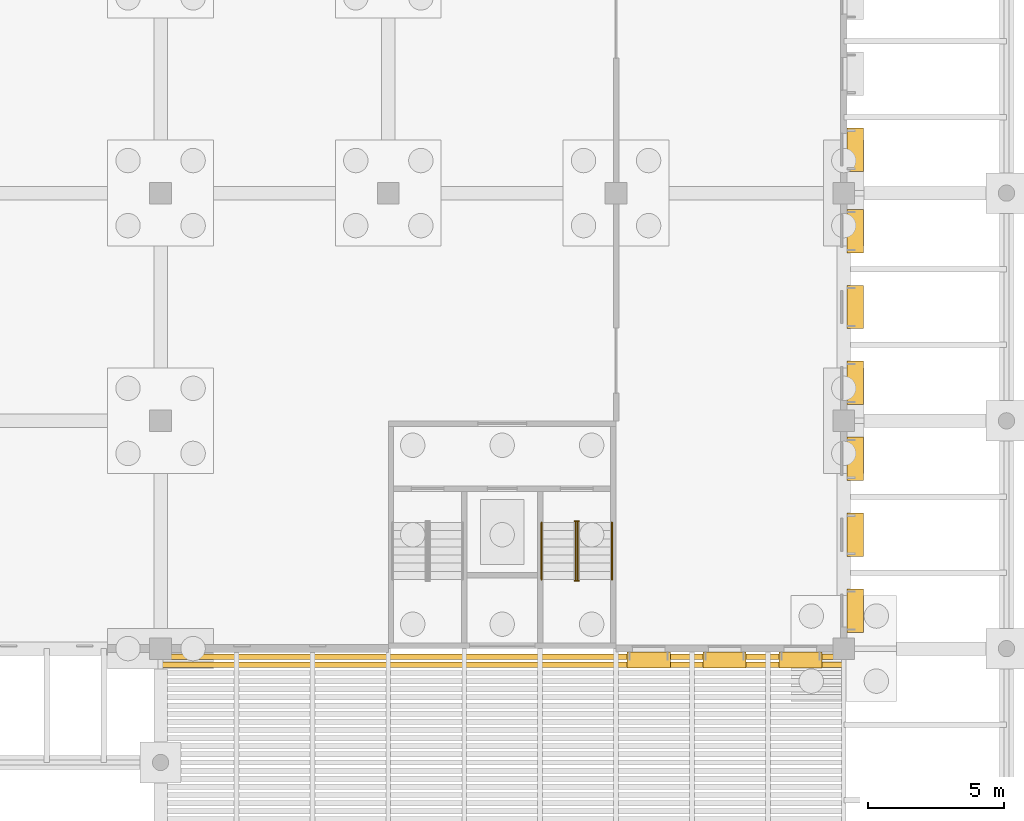
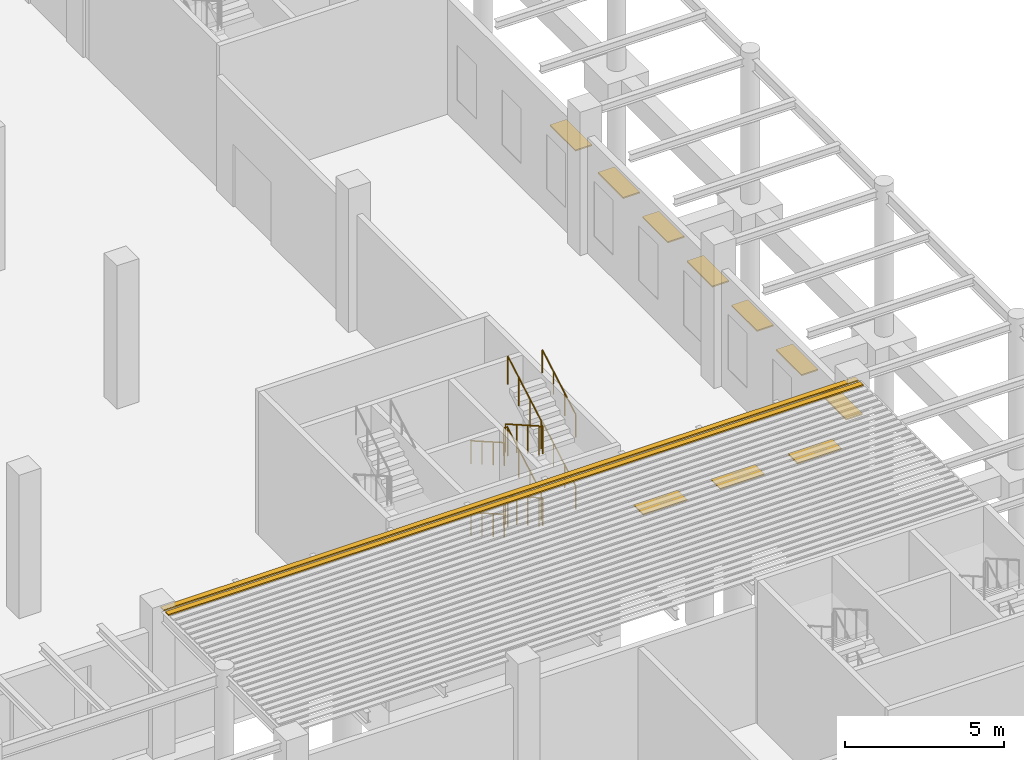
# One storey, part 78 of 82: 12 railings, 12 shading devices.
"""IFC4 building model written with IfcOpenShell, lengths in metres."""

from ifc_helpers import new_model, si_unit, direction, frame, origin, origin_2d, place, context, subcontext, project, spatial, rectangle, circle, extrude, material, material_profile, profile_set, type_object, element, save


model = new_model("IFC4")

# Units and contexts
model_context = context("Model", 3, precision=1e-05, world=origin(), true_north=direction((0.0, 1.0)))
body_context = subcontext(model_context, "Body", "Model", "MODEL_VIEW")
ifc_project = project(units=[si_unit("LENGTHUNIT", "METRE"), si_unit("AREAUNIT", "SQUARE_METRE"), si_unit("VOLUMEUNIT", "CUBIC_METRE"), si_unit("PLANEANGLEUNIT", "RADIAN"), si_unit("MASSUNIT", "GRAM", prefix="KILO")], contexts=[model_context])

# Site, building, storey
site_placement = place(None, origin())
site = spatial("IfcSite", under=ifc_project, at=site_placement, CompositionType="ELEMENT")
building_placement = place(site_placement, origin())
building = spatial("IfcBuilding", under=site, at=building_placement, Name="Almond Square Museum", CompositionType="ELEMENT")
storey_placement = place(building_placement, origin())
storey = spatial("IfcBuildingStorey", under=building, at=storey_placement, Name="L00", CompositionType="ELEMENT", Elevation=0.0)

# Shading devices
ifc_material_1 = material(Name="Anodised aluminium", Category="aluminium")
ifc_material_profile_1 = material_profile(ifc_material_1, rectangle(XDim=0.199951171875, YDim=0.050048828125, at=origin_2d()))
ifc_profile_set_1 = profile_set([ifc_material_profile_1], Name="Anodised aluminium")
shading_device_type_1 = type_object("IfcShadingDeviceType", Name="Canopy louvre blade 200 x 50", PredefinedType="USERDEFINED", material=ifc_profile_set_1)
for number, where, z_axis, x_axis, name in (
    (1, (132.0, 49.800048828125, 5.27490234375), (1.0, 0.0, 0.0), (0.0, 1.0, 0.0), "Passage canopy louvre 26"),
    (2, (132.0, 50.10009765625, 5.27490234375), (1.0, 0.0, 0.0), (0.0, 1.0, 0.0), "Passage canopy louvre 27"),
):
    element("IfcShadingDevice", number, at=place(storey_placement, frame(where, z_axis=z_axis, x_axis=x_axis)), inside=storey, type_object=shading_device_type_1, Name=name, ObjectType="LOUVRE", PredefinedType="USERDEFINED", context=body_context, shape_type="SweptSolid", body=[
        extrude(rectangle(XDim=0.199951171875, YDim=0.050048828125, at=origin_2d()), origin(), (0.0, 0.0, 1.0), 25.199951171875),
    ])

# Railings
ifc_material_2 = material(Name="Stainless steel and laminated glass", Category="steel")
railing_type_1 = type_object("IfcRailingType", Name="Stair guard 1100 steel and glass", PredefinedType="GUARDRAIL", material=ifc_material_2)
railing_1_placement = place(storey_placement, frame((147.31005859375, 55.050048828125, 0.171875)))
element("IfcRailing", 3, at=railing_1_placement, inside=storey, type_object=railing_type_1, Name="L00 ST-04 stair guard 1", PredefinedType="GUARDRAIL", context=body_context, shape_type="SweptSolid", body=[
    extrude(circle(Radius=0.02392578125, at=origin_2d()), frame((0.0, 0.0, 1.076171875), z_axis=(0.0, -0.867696358075, 0.497094588769), x_axis=(1.0, 0.0, 0.0)), (0.0, 0.0, 1.0), 2.42041015625),
    extrude(circle(Radius=0.02099609375, at=origin_2d()), origin(), (0.0, 0.0, 1.0), 1.052001953125),
    extrude(circle(Radius=0.02099609375, at=origin_2d()), frame((0.0, -0.699951171875, 0.401123046875)), (0.0, 0.0, 1.0), 1.052001953125),
    extrude(circle(Radius=0.02099609375, at=origin_2d()), frame((0.0, -1.400146484375, 0.802001953125)), (0.0, 0.0, 1.0), 1.052001953125),
    extrude(circle(Radius=0.02099609375, at=origin_2d()), frame((0.0, -2.10009765625, 1.203125)), (0.0, 0.0, 1.0), 1.052001953125),
])
railing_2_placement = place(storey_placement, frame((147.280029296875, 52.89990234375, 1.375)))
element("IfcRailing", 4, at=railing_2_placement, inside=storey, type_object=railing_type_1, Name="L00 ST-04 stair guard 2", PredefinedType="GUARDRAIL", context=body_context, shape_type="SweptSolid", body=[
    extrude(circle(Radius=0.02392578125, at=origin_2d()), frame((0.0, 0.0, 1.076171875), z_axis=(1.0, 0.0, 0.0), x_axis=(0.0, 1.0, 0.0)), (0.0, 0.0, 1.0), 0.139892578125),
    extrude(circle(Radius=0.02099609375, at=origin_2d()), origin(), (0.0, 0.0, 1.0), 1.052001953125),
    extrude(circle(Radius=0.02099609375, at=origin_2d()), frame((0.139892578125, 0.0, 0.0)), (0.0, 0.0, 1.0), 1.052001953125),
])
railing_3_placement = place(storey_placement, frame((147.389892578125, 52.949951171875, 1.546875)))
element("IfcRailing", 5, at=railing_3_placement, inside=storey, type_object=railing_type_1, Name="L00 ST-04 stair guard 3", PredefinedType="GUARDRAIL", context=body_context, shape_type="SweptSolid", body=[
    extrude(circle(Radius=0.02392578125, at=origin_2d()), frame((0.0, 0.0, 1.076171875), z_axis=(0.0, 0.867696358075, 0.497094588769), x_axis=(-1.0, 0.0, 0.0)), (0.0, 0.0, 1.0), 2.42041015625),
    extrude(circle(Radius=0.02099609375, at=origin_2d()), origin(), (0.0, 0.0, 1.0), 1.052001953125),
    extrude(circle(Radius=0.02099609375, at=origin_2d()), frame((0.0, 0.699951171875, 0.401123046875)), (0.0, 0.0, 1.0), 1.052001953125),
    extrude(circle(Radius=0.02099609375, at=origin_2d()), frame((0.0, 1.400146484375, 0.802001953125)), (0.0, 0.0, 1.0), 1.052001953125),
    extrude(circle(Radius=0.02099609375, at=origin_2d()), frame((0.0, 2.10009765625, 1.203125)), (0.0, 0.0, 1.0), 1.052001953125),
])
railing_4_placement = place(storey_placement, frame((147.280029296875, 55.10009765625, 2.75)))
element("IfcRailing", 6, at=railing_4_placement, inside=storey, type_object=railing_type_1, Name="L00 ST-04 stair guard 4", PredefinedType="GUARDRAIL", context=body_context, shape_type="SweptSolid", body=[
    extrude(circle(Radius=0.02392578125, at=origin_2d()), frame((0.0, 0.0, 1.076171875), z_axis=(1.0, 0.0, 0.0), x_axis=(0.0, 1.0, 0.0)), (0.0, 0.0, 1.0), 0.139892578125),
    extrude(circle(Radius=0.02099609375, at=origin_2d()), origin(), (0.0, 0.0, 1.0), 1.052001953125),
    extrude(circle(Radius=0.02099609375, at=origin_2d()), frame((0.139892578125, 0.0, 0.0)), (0.0, 0.0, 1.0), 1.052001953125),
])
railing_5_placement = place(storey_placement, frame((147.31005859375, 55.050048828125, 2.921875)))
element("IfcRailing", 7, at=railing_5_placement, inside=storey, type_object=railing_type_1, Name="L00 ST-04 stair guard 5", PredefinedType="GUARDRAIL", context=body_context, shape_type="SweptSolid", body=[
    extrude(circle(Radius=0.02392578125, at=origin_2d()), frame((0.0, 0.0, 1.076171875), z_axis=(0.0, -0.867696358075, 0.497094588769), x_axis=(1.0, 0.0, 0.0)), (0.0, 0.0, 1.0), 2.42041015625),
    extrude(circle(Radius=0.02099609375, at=origin_2d()), origin(), (0.0, 0.0, 1.0), 1.052001953125),
    extrude(circle(Radius=0.02099609375, at=origin_2d()), frame((0.0, -0.699951171875, 0.401123046875)), (0.0, 0.0, 1.0), 1.052001953125),
    extrude(circle(Radius=0.02099609375, at=origin_2d()), frame((0.0, -1.400146484375, 0.802001953125)), (0.0, 0.0, 1.0), 1.052001953125),
    extrude(circle(Radius=0.02099609375, at=origin_2d()), frame((0.0, -2.10009765625, 1.203125)), (0.0, 0.0, 1.0), 1.052001953125),
])
railing_6_placement = place(storey_placement, frame((147.280029296875, 52.89990234375, 4.125)))
element("IfcRailing", 8, at=railing_6_placement, inside=storey, type_object=railing_type_1, Name="L00 ST-04 stair guard 6", PredefinedType="GUARDRAIL", context=body_context, shape_type="SweptSolid", body=[
    extrude(circle(Radius=0.02392578125, at=origin_2d()), frame((0.0, 0.0, 1.076171875), z_axis=(1.0, 0.0, 0.0), x_axis=(0.0, 1.0, 0.0)), (0.0, 0.0, 1.0), 0.139892578125),
    extrude(circle(Radius=0.02099609375, at=origin_2d()), origin(), (0.0, 0.0, 1.0), 1.052001953125),
    extrude(circle(Radius=0.02099609375, at=origin_2d()), frame((0.139892578125, 0.0, 0.0)), (0.0, 0.0, 1.0), 1.052001953125),
])
railing_7_placement = place(storey_placement, frame((147.389892578125, 52.949951171875, 4.296875)))
element("IfcRailing", 9, at=railing_7_placement, inside=storey, type_object=railing_type_1, Name="L00 ST-04 stair guard 7", PredefinedType="GUARDRAIL", context=body_context, shape_type="SweptSolid", body=[
    extrude(circle(Radius=0.02392578125, at=origin_2d()), frame((0.0, 0.0, 1.076171875), z_axis=(0.0, 0.867696358075, 0.497094588769), x_axis=(-1.0, 0.0, 0.0)), (0.0, 0.0, 1.0), 2.42041015625),
    extrude(circle(Radius=0.02099609375, at=origin_2d()), origin(), (0.0, 0.0, 1.0), 1.052001953125),
    extrude(circle(Radius=0.02099609375, at=origin_2d()), frame((0.0, 0.699951171875, 0.401123046875)), (0.0, 0.0, 1.0), 1.052001953125),
    extrude(circle(Radius=0.02099609375, at=origin_2d()), frame((0.0, 1.400146484375, 0.802001953125)), (0.0, 0.0, 1.0), 1.052001953125),
    extrude(circle(Radius=0.02099609375, at=origin_2d()), frame((0.0, 2.10009765625, 1.203125)), (0.0, 0.0, 1.0), 1.052001953125),
])
railing_8_placement = place(storey_placement, frame((147.280029296875, 55.10009765625, 0.0)))
element("IfcRailing", 10, at=railing_8_placement, inside=storey, type_object=railing_type_1, Name="L00 ST-04 stair guard 8", PredefinedType="GUARDRAIL", context=body_context, shape_type="SweptSolid", body=[
    extrude(circle(Radius=0.02392578125, at=origin_2d()), frame((0.0, 0.0, 1.076171875), z_axis=(1.0, 0.0, 0.0), x_axis=(0.0, 1.0, 0.0)), (0.0, 0.0, 1.0), 0.139892578125),
    extrude(circle(Radius=0.02099609375, at=origin_2d()), origin(), (0.0, 0.0, 1.0), 1.052001953125),
    extrude(circle(Radius=0.02099609375, at=origin_2d()), frame((0.139892578125, 0.0, 0.0)), (0.0, 0.0, 1.0), 1.052001953125),
])
ifc_material_3 = material(Name="Stainless steel", Category="steel")
railing_type_2 = type_object("IfcRailingType", Name="Stair handrail 900 steel", PredefinedType="HANDRAIL", material=ifc_material_3)
railing_9_placement = place(storey_placement, frame((146.054931640625, 55.050048828125, 0.171875)))
element("IfcRailing", 11, at=railing_9_placement, inside=storey, type_object=railing_type_2, Name="L00 ST-04 stair handrail 1", PredefinedType="HANDRAIL", context=body_context, shape_type="SweptSolid", body=[
    extrude(circle(Radius=0.02392578125, at=origin_2d()), frame((0.0, 0.0, 0.8759765625), z_axis=(0.0, -0.867696358075, 0.497094588769), x_axis=(1.0, 0.0, 0.0)), (0.0, 0.0, 1.0), 2.42041015625),
    extrude(circle(Radius=0.02099609375, at=origin_2d()), origin(), (0.0, 0.0, 1.0), 0.851806640625),
    extrude(circle(Radius=0.02099609375, at=origin_2d()), frame((0.0, -0.699951171875, 0.401123046875)), (0.0, 0.0, 1.0), 0.851806640625),
    extrude(circle(Radius=0.02099609375, at=origin_2d()), frame((0.0, -1.400146484375, 0.802001953125)), (0.0, 0.0, 1.0), 0.851806640625),
    extrude(circle(Radius=0.02099609375, at=origin_2d()), frame((0.0, -2.10009765625, 1.203125)), (0.0, 0.0, 1.0), 0.851806640625),
])
railing_10_placement = place(storey_placement, frame((148.64501953125, 52.949951171875, 1.546875)))
element("IfcRailing", 12, at=railing_10_placement, inside=storey, type_object=railing_type_2, Name="L00 ST-04 stair handrail 2", PredefinedType="HANDRAIL", context=body_context, shape_type="SweptSolid", body=[
    extrude(circle(Radius=0.02392578125, at=origin_2d()), frame((0.0, 0.0, 0.8759765625), z_axis=(0.0, 0.867696358075, 0.497094588769), x_axis=(-1.0, 0.0, 0.0)), (0.0, 0.0, 1.0), 2.42041015625),
    extrude(circle(Radius=0.02099609375, at=origin_2d()), origin(), (0.0, 0.0, 1.0), 0.851806640625),
    extrude(circle(Radius=0.02099609375, at=origin_2d()), frame((0.0, 0.699951171875, 0.401123046875)), (0.0, 0.0, 1.0), 0.851806640625),
    extrude(circle(Radius=0.02099609375, at=origin_2d()), frame((0.0, 1.400146484375, 0.802001953125)), (0.0, 0.0, 1.0), 0.851806640625),
    extrude(circle(Radius=0.02099609375, at=origin_2d()), frame((0.0, 2.10009765625, 1.203125)), (0.0, 0.0, 1.0), 0.851806640625),
])
railing_11_placement = place(storey_placement, frame((146.054931640625, 55.050048828125, 2.921875)))
element("IfcRailing", 13, at=railing_11_placement, inside=storey, type_object=railing_type_2, Name="L00 ST-04 stair handrail 3", PredefinedType="HANDRAIL", context=body_context, shape_type="SweptSolid", body=[
    extrude(circle(Radius=0.02392578125, at=origin_2d()), frame((0.0, 0.0, 0.8759765625), z_axis=(0.0, -0.867696358075, 0.497094588769), x_axis=(1.0, 0.0, 0.0)), (0.0, 0.0, 1.0), 2.42041015625),
    extrude(circle(Radius=0.02099609375, at=origin_2d()), origin(), (0.0, 0.0, 1.0), 0.851806640625),
    extrude(circle(Radius=0.02099609375, at=origin_2d()), frame((0.0, -0.699951171875, 0.401123046875)), (0.0, 0.0, 1.0), 0.851806640625),
    extrude(circle(Radius=0.02099609375, at=origin_2d()), frame((0.0, -1.400146484375, 0.802001953125)), (0.0, 0.0, 1.0), 0.851806640625),
    extrude(circle(Radius=0.02099609375, at=origin_2d()), frame((0.0, -2.10009765625, 1.203125)), (0.0, 0.0, 1.0), 0.851806640625),
])
railing_12_placement = place(storey_placement, frame((148.64501953125, 52.949951171875, 4.296875)))
element("IfcRailing", 14, at=railing_12_placement, inside=storey, type_object=railing_type_2, Name="L00 ST-04 stair handrail 4", PredefinedType="HANDRAIL", context=body_context, shape_type="SweptSolid", body=[
    extrude(circle(Radius=0.02392578125, at=origin_2d()), frame((0.0, 0.0, 0.8759765625), z_axis=(0.0, 0.867696358075, 0.497094588769), x_axis=(-1.0, 0.0, 0.0)), (0.0, 0.0, 1.0), 2.42041015625),
    extrude(circle(Radius=0.02099609375, at=origin_2d()), origin(), (0.0, 0.0, 1.0), 0.851806640625),
    extrude(circle(Radius=0.02099609375, at=origin_2d()), frame((0.0, 0.699951171875, 0.401123046875)), (0.0, 0.0, 1.0), 0.851806640625),
    extrude(circle(Radius=0.02099609375, at=origin_2d()), frame((0.0, 1.400146484375, 0.802001953125)), (0.0, 0.0, 1.0), 0.851806640625),
    extrude(circle(Radius=0.02099609375, at=origin_2d()), frame((0.0, 2.10009765625, 1.203125)), (0.0, 0.0, 1.0), 0.851806640625),
])

# Shading devices
ifc_material_4 = material(Name="Anodised aluminium", Category="aluminium")
ifc_material_profile_2 = material_profile(ifc_material_4, rectangle(XDim=0.60009765625, YDim=0.050048828125, at=origin_2d()))
ifc_profile_set_2 = profile_set([ifc_material_profile_2], Name="Anodised aluminium")
shading_device_type_2 = type_object("IfcShadingDeviceType", Name="Sun-shade blade 600 x 50", PredefinedType="USERDEFINED", material=ifc_profile_set_2)
for number, where, z_axis, x_axis, name in (
    (15, (149.199951171875, 49.97705078125, 3.1201171875), (1.0, 0.0, 0.0), (0.0, 1.0, 0.0), "Sun-shade blade"),
    (16, (152.0, 49.97705078125, 3.1201171875), (1.0, 0.0, 0.0), (0.0, 1.0, 0.0), "Sun-shade blade"),
):
    element("IfcShadingDevice", number, at=place(storey_placement, frame(where, z_axis=z_axis, x_axis=x_axis)), inside=storey, type_object=shading_device_type_2, Name=name, ObjectType="LOUVRE", PredefinedType="USERDEFINED", context=body_context, shape_type="SweptSolid", body=[
        extrude(rectangle(XDim=0.60009765625, YDim=0.050048828125, at=origin_2d()), origin(), (0.0, 0.0, 1.0), 1.60009765625),
    ])
shading_device_1_placement = place(storey_placement, frame((154.800048828125, 49.97705078125, 3.1201171875), z_axis=(1.0, 0.0, 0.0), x_axis=(0.0, 1.0, 0.0)))
element("IfcShadingDevice", 17, at=shading_device_1_placement, inside=storey, type_object=shading_device_type_2, Name="Sun-shade blade", ObjectType="LOUVRE", PredefinedType="USERDEFINED", context=body_context, shape_type="SweptSolid", body=[
    extrude(rectangle(XDim=0.60009765625, YDim=0.050048828125, at=origin_2d()), origin(), (0.0, 0.0, 1.0), 1.599853515625),
])
shading_device_2_placement = place(storey_placement, frame((157.623046875, 51.0, 3.1201171875), z_axis=(0.0, 1.0, 0.0), x_axis=(-1.0, 0.0, 0.0)))
element("IfcShadingDevice", 18, at=shading_device_2_placement, inside=storey, type_object=shading_device_type_2, Name="Sun-shade blade", ObjectType="LOUVRE", PredefinedType="USERDEFINED", context=body_context, shape_type="SweptSolid", body=[
    extrude(rectangle(XDim=0.60009765625, YDim=0.050048828125, at=origin_2d()), origin(), (0.0, 0.0, 1.0), 1.60009765625),
])
for number, where, z_axis, x_axis, name in (
    (19, (157.623046875, 53.800048828125, 3.1201171875), (0.0, 1.0, 0.0), (-1.0, 0.0, 0.0), "Sun-shade blade"),
    (20, (157.623046875, 56.60009765625, 3.1201171875), (0.0, 1.0, 0.0), (-1.0, 0.0, 0.0), "Sun-shade blade"),
):
    element("IfcShadingDevice", number, at=place(storey_placement, frame(where, z_axis=z_axis, x_axis=x_axis)), inside=storey, type_object=shading_device_type_2, Name=name, ObjectType="LOUVRE", PredefinedType="USERDEFINED", context=body_context, shape_type="SweptSolid", body=[
        extrude(rectangle(XDim=0.60009765625, YDim=0.050048828125, at=origin_2d()), origin(), (0.0, 0.0, 1.0), 1.599853515625),
    ])
for number, where, z_axis, x_axis, name in (
    (21, (157.623046875, 59.39990234375, 3.1201171875), (0.0, 1.0, 0.0), (-1.0, 0.0, 0.0), "Sun-shade blade"),
    (22, (157.623046875, 62.199951171875, 3.1201171875), (0.0, 1.0, 0.0), (-1.0, 0.0, 0.0), "Sun-shade blade"),
    (23, (157.623046875, 65.0, 3.1201171875), (0.0, 1.0, 0.0), (-1.0, 0.0, 0.0), "Sun-shade blade"),
    (24, (157.623046875, 68.0, 3.1201171875), (0.0, 1.0, 0.0), (-1.0, 0.0, 0.0), "Sun-shade blade"),
):
    element("IfcShadingDevice", number, at=place(storey_placement, frame(where, z_axis=z_axis, x_axis=x_axis)), inside=storey, type_object=shading_device_type_2, Name=name, ObjectType="LOUVRE", PredefinedType="USERDEFINED", context=body_context, shape_type="SweptSolid", body=[
        extrude(rectangle(XDim=0.60009765625, YDim=0.050048828125, at=origin_2d()), origin(), (0.0, 0.0, 1.0), 1.60009765625),
    ])

save(model, "model.ifc")
